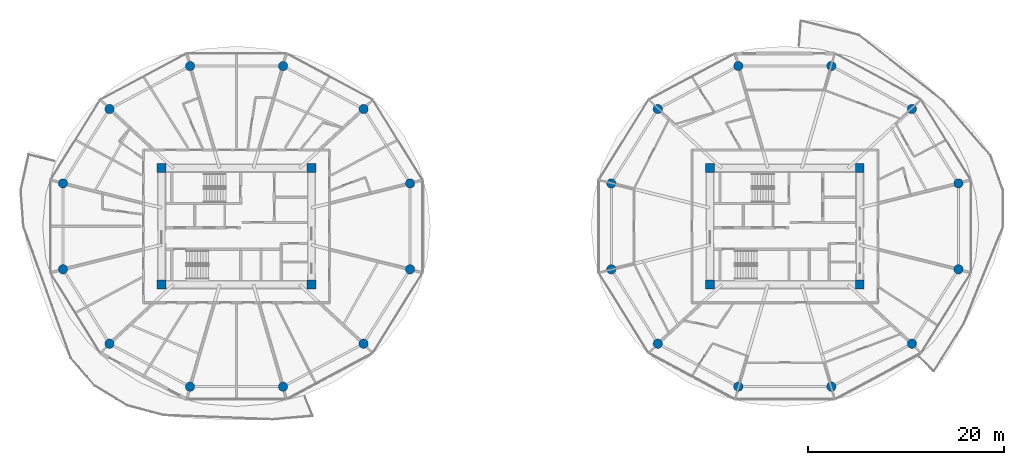
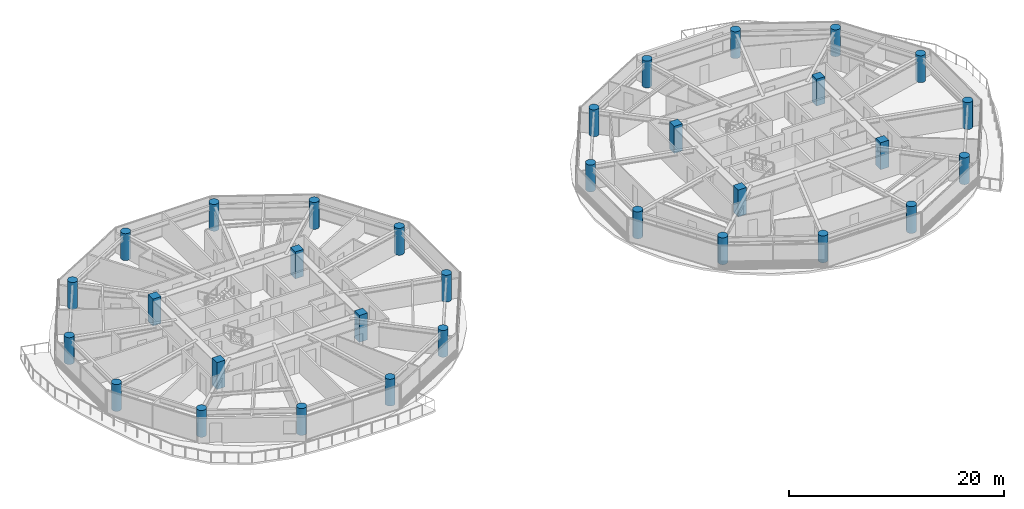
# One storey, part 1 of 28: 32 columns.
"""IFC4 building model written with IfcOpenShell, lengths in metres."""

from ifc_helpers import new_model, si_unit, direction, frame, origin, origin_2d, place, context, subcontext, project, spatial, rectangle, circle, extrude, source, transform, mapped, material, material_profile, profile_set, type_object, type_shapes, element, save


model = new_model("IFC4")

# Units and contexts
model_context = context("Model", 3, precision=1e-05, world=origin(), true_north=direction((0.0, 1.0)))
body_context = subcontext(model_context, "Body", "Model", "MODEL_VIEW")
ifc_project = project(units=[si_unit("LENGTHUNIT", "METRE"), si_unit("AREAUNIT", "SQUARE_METRE"), si_unit("VOLUMEUNIT", "CUBIC_METRE"), si_unit("PLANEANGLEUNIT", "RADIAN"), si_unit("MASSUNIT", "GRAM", prefix="KILO")], contexts=[model_context])

# Site, building, storey
site_placement = place(None, origin())
site = spatial("IfcSite", under=ifc_project, at=site_placement, CompositionType="ELEMENT")
building_placement = place(site_placement, origin())
building = spatial("IfcBuilding", under=site, at=building_placement, Name="Norrkilde Senior Care Towers", CompositionType="ELEMENT")
storey_placement = place(building_placement, frame((0.0, 0.0, 39.89990234375)))
storey = spatial("IfcBuildingStorey", under=building, at=storey_placement, Name="L11", CompositionType="ELEMENT", Elevation=39.89990234375)

# Columns
ifc_material = material(Name="Concrete C60/75", Category="concrete")
ifc_material_profile_1 = material_profile(ifc_material, rectangle(XDim=0.89990234375, YDim=0.89990234375, at=origin_2d()), Name="RC COL 900x900")
ifc_profile_set_1 = profile_set([ifc_material_profile_1], Name="Concrete C60/75")
column_type_1 = type_object("IfcColumnType", Name="Column Core Corner Z1-Z2 900", PredefinedType="COLUMN", material=ifc_profile_set_1)
shared_shape_1 = source(origin(), body_context, "Body", "SweptSolid", [
    extrude(rectangle(XDim=0.89990234375, YDim=0.89990234375, at=origin_2d()), origin(), (0.0, 0.0, 1.0), 3.050048828125),
])
type_shapes(column_type_1, [shared_shape_1])
for number, where, z_axis, x_axis, name in (
    (1, (-35.64990234375, -5.949951171875, 0.0), (0.0, 0.0, 1.0), (1.0, 0.0, 0.0), "L11 Core W Corner Column 1"),
    (2, (-20.35009765625, -5.949951171875, 0.0), (0.0, 0.0, 1.0), (1.0, 0.0, 0.0), "L11 Core W Corner Column 2"),
    (3, (-20.35009765625, 5.949951171875, 0.0), (0.0, 0.0, 1.0), (1.0, 0.0, 0.0), "L11 Core W Corner Column 3"),
    (4, (-35.64990234375, 5.949951171875, 0.0), (0.0, 0.0, 1.0), (1.0, 0.0, 0.0), "L11 Core W Corner Column 4"),
    (5, (20.35009765625, -5.949951171875, 0.0), (0.0, 0.0, 1.0), (1.0, 0.0, 0.0), "L11 Core E Corner Column 1"),
    (6, (35.64990234375, -5.949951171875, 0.0), (0.0, 0.0, 1.0), (1.0, 0.0, 0.0), "L11 Core E Corner Column 2"),
    (7, (35.64990234375, 5.949951171875, 0.0), (0.0, 0.0, 1.0), (1.0, 0.0, 0.0), "L11 Core E Corner Column 3"),
    (8, (20.35009765625, 5.949951171875, 0.0), (0.0, 0.0, 1.0), (1.0, 0.0, 0.0), "L11 Core E Corner Column 4"),
):
    element("IfcColumn", number, at=place(storey_placement, frame(where, z_axis=z_axis, x_axis=x_axis)), inside=storey, type_object=column_type_1, Name=name, PredefinedType="COLUMN", context=body_context, shape_type="MappedRepresentation", body=[
        mapped(shared_shape_1, transform((0.0, 0.0, 0.0), x_axis=(1.0, 0.0, 0.0), y_axis=(0.0, 1.0, 0.0), z_axis=(0.0, 0.0, 1.0), scale=1.0)),
    ])
ifc_material_profile_2 = material_profile(ifc_material, circle(Radius=0.47509765625, at=origin_2d()), Name="RC CIR 950")
ifc_profile_set_2 = profile_set([ifc_material_profile_2], Name="Concrete C60/75")
column_type_2 = type_object("IfcColumnType", Name="Column Perimeter Z1 950", PredefinedType="COLUMN", material=ifc_profile_set_2)
shared_shape_2 = source(origin(), body_context, "Body", "SweptSolid", [
    extrude(circle(Radius=0.47509765625, at=origin_2d()), origin(), (0.0, 0.0, 1.0), 3.050048828125),
])
type_shapes(column_type_2, [shared_shape_2])
for number, where, z_axis, x_axis, name in (
    (9, (-10.275146484375, 4.386962890625, 0.0), (0.0, 0.0, 1.0), (1.0, 0.0, 0.0), "L11 Drum W Perimeter Column 01"),
    (10, (-15.024658203125, 11.9853515625, 0.0), (0.0, 0.0, 1.0), (1.0, 0.0, 0.0), "L11 Drum W Perimeter Column 02"),
    (11, (-23.250732421875, 16.37255859375, 0.0), (0.0, 0.0, 1.0), (1.0, 0.0, 0.0), "L11 Drum W Perimeter Column 03"),
    (12, (-32.749267578125, 16.37255859375, 0.0), (0.0, 0.0, 1.0), (1.0, 0.0, 0.0), "L11 Drum W Perimeter Column 04"),
    (13, (-40.975341796875, 11.9853515625, 0.0), (0.0, 0.0, 1.0), (1.0, 0.0, 0.0), "L11 Drum W Perimeter Column 05"),
    (14, (-45.724853515625, 4.386962890625, 0.0), (0.0, 0.0, 1.0), (1.0, 0.0, 0.0), "L11 Drum W Perimeter Column 06"),
    (15, (-45.724853515625, -4.386962890625, 0.0), (0.0, 0.0, 1.0), (1.0, 0.0, 0.0), "L11 Drum W Perimeter Column 07"),
    (16, (-40.975341796875, -11.9853515625, 0.0), (0.0, 0.0, 1.0), (1.0, 0.0, 0.0), "L11 Drum W Perimeter Column 08"),
    (17, (-32.749267578125, -16.37255859375, 0.0), (0.0, 0.0, 1.0), (1.0, 0.0, 0.0), "L11 Drum W Perimeter Column 09"),
    (18, (-23.250732421875, -16.37255859375, 0.0), (0.0, 0.0, 1.0), (1.0, 0.0, 0.0), "L11 Drum W Perimeter Column 10"),
    (19, (-15.024658203125, -11.9853515625, 0.0), (0.0, 0.0, 1.0), (1.0, 0.0, 0.0), "L11 Drum W Perimeter Column 11"),
    (20, (-10.275146484375, -4.386962890625, 0.0), (0.0, 0.0, 1.0), (1.0, 0.0, 0.0), "L11 Drum W Perimeter Column 12"),
    (21, (45.724853515625, 4.386962890625, 0.0), (0.0, 0.0, 1.0), (1.0, 0.0, 0.0), "L11 Drum E Perimeter Column 01"),
    (22, (40.975341796875, 11.9853515625, 0.0), (0.0, 0.0, 1.0), (1.0, 0.0, 0.0), "L11 Drum E Perimeter Column 02"),
    (23, (32.749267578125, 16.37255859375, 0.0), (0.0, 0.0, 1.0), (1.0, 0.0, 0.0), "L11 Drum E Perimeter Column 03"),
    (24, (23.250732421875, 16.37255859375, 0.0), (0.0, 0.0, 1.0), (1.0, 0.0, 0.0), "L11 Drum E Perimeter Column 04"),
    (25, (15.024658203125, 11.9853515625, 0.0), (0.0, 0.0, 1.0), (1.0, 0.0, 0.0), "L11 Drum E Perimeter Column 05"),
    (26, (10.275146484375, 4.386962890625, 0.0), (0.0, 0.0, 1.0), (1.0, 0.0, 0.0), "L11 Drum E Perimeter Column 06"),
    (27, (10.275146484375, -4.386962890625, 0.0), (0.0, 0.0, 1.0), (1.0, 0.0, 0.0), "L11 Drum E Perimeter Column 07"),
    (28, (15.024658203125, -11.9853515625, 0.0), (0.0, 0.0, 1.0), (1.0, 0.0, 0.0), "L11 Drum E Perimeter Column 08"),
    (29, (23.250732421875, -16.37255859375, 0.0), (0.0, 0.0, 1.0), (1.0, 0.0, 0.0), "L11 Drum E Perimeter Column 09"),
    (30, (32.749267578125, -16.37255859375, 0.0), (0.0, 0.0, 1.0), (1.0, 0.0, 0.0), "L11 Drum E Perimeter Column 10"),
    (31, (40.975341796875, -11.9853515625, 0.0), (0.0, 0.0, 1.0), (1.0, 0.0, 0.0), "L11 Drum E Perimeter Column 11"),
    (32, (45.724853515625, -4.386962890625, 0.0), (0.0, 0.0, 1.0), (1.0, 0.0, 0.0), "L11 Drum E Perimeter Column 12"),
):
    element("IfcColumn", number, at=place(storey_placement, frame(where, z_axis=z_axis, x_axis=x_axis)), inside=storey, type_object=column_type_2, Name=name, PredefinedType="COLUMN", context=body_context, shape_type="MappedRepresentation", body=[
        mapped(shared_shape_2, transform((0.0, 0.0, 0.0), x_axis=(1.0, 0.0, 0.0), y_axis=(0.0, 1.0, 0.0), z_axis=(0.0, 0.0, 1.0), scale=1.0)),
    ])

save(model, "model.ifc")
